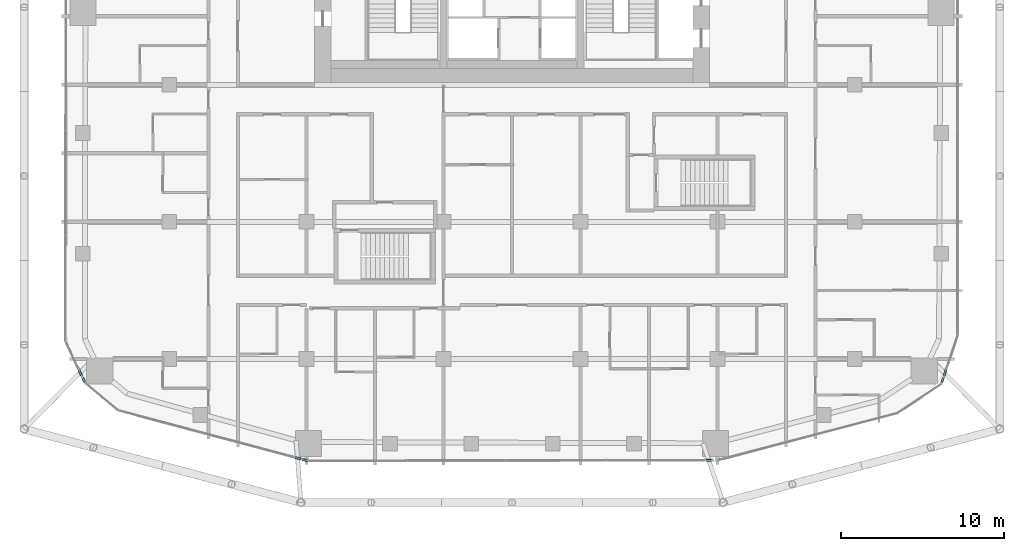
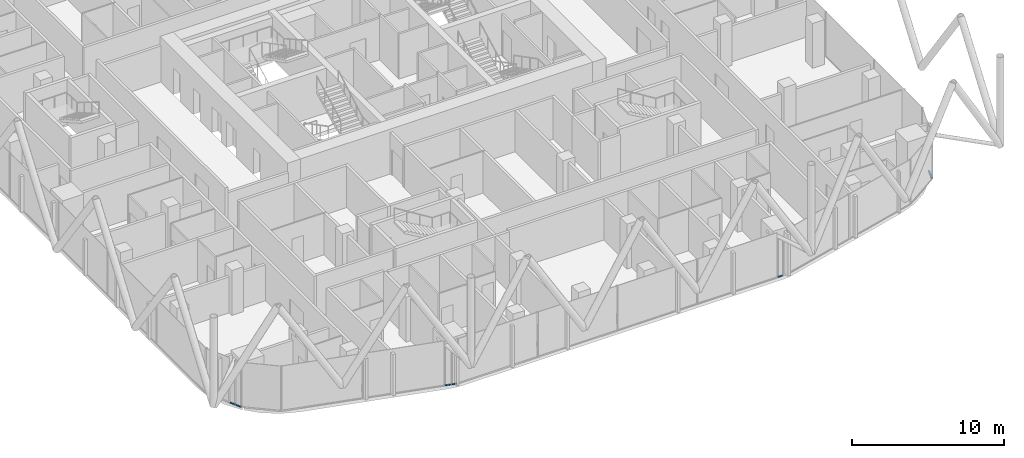
# One storey, part 15 of 33: 7 members, 7 elements without a shape of their own.
"""IFC4 building model written with IfcOpenShell, lengths in metres."""

from ifc_helpers import new_model, si_unit, direction, frame, origin, origin_2d, place, context, subcontext, project, spatial, rectangle, extrude, material, layer, layer_set, material_profile, profile_set, type_object, element, aggregate, save


model = new_model("IFC4")

# Units and contexts
model_context = context("Model", 3, precision=1e-05, world=origin(), true_north=direction((0.0, 1.0)))
body_context = subcontext(model_context, "Body", "Model", "MODEL_VIEW")
ifc_project = project(units=[si_unit("LENGTHUNIT", "METRE"), si_unit("AREAUNIT", "SQUARE_METRE"), si_unit("VOLUMEUNIT", "CUBIC_METRE"), si_unit("PLANEANGLEUNIT", "RADIAN"), si_unit("MASSUNIT", "GRAM", prefix="KILO")], contexts=[model_context])

# Site, building, storey
site_placement = place(None, origin())
site = spatial("IfcSite", under=ifc_project, at=site_placement, CompositionType="ELEMENT")
building_placement = place(site_placement, origin())
building = spatial("IfcBuilding", under=site, at=building_placement, Name="Marenta Gate Hotel Tower", CompositionType="ELEMENT")
storey_placement = place(building_placement, frame((0.0, 0.0, 122.89990234375)))
storey = spatial("IfcBuildingStorey", under=building, at=storey_placement, Name="L27", CompositionType="ELEMENT", Elevation=122.89990234375)

# Curtain wall, member
ifc_material_1 = material(Name="Tinted insulated glass in bronze anodised frame", Category="glass")
ifc_layer = layer(ifc_material_1, 0.1201171875)
ifc_layer_set = layer_set([ifc_layer], Name="Tinted insulated glass in bronze anodised frame")
curtain_wall_type = type_object("IfcCurtainWallType", Name="Tower unitised curtain wall CW1", PredefinedType="NOTDEFINED", material=ifc_layer_set)
curtain_wall_1_placement = place(storey_placement, origin())
curtain_wall_1 = element("IfcCurtainWall", 1, at=curtain_wall_1_placement, inside=storey, type_object=curtain_wall_type, Name="CW1 run G06", PredefinedType="NOTDEFINED")
ifc_material_2 = material(Name="Bronze anodised aluminium", Category="aluminium")
ifc_material_profile = material_profile(ifc_material_2, rectangle(XDim=0.1201171875, YDim=0.06005859375, at=origin_2d()), Name="Transom CW1 60x120 bronze anodised aluminium")
ifc_profile_set = profile_set([ifc_material_profile], Name="Bronze anodised aluminium")
member_type = type_object("IfcMemberType", Name="Transom CW1 60x120 bronze anodised aluminium", PredefinedType="USERDEFINED", material=ifc_profile_set)
member_1_placement = place(storey_placement, frame((-26.544189453125, -17.4677734375, 0.030029296875), z_axis=(0.423960267339, -0.905680789085, 0.0), x_axis=(0.905680789085, 0.423960267339, 0.0)))
member_1 = element("IfcMember", 2, at=member_1_placement, type_object=member_type, Name="CW1 transom 1.1", ObjectType="TRANSOM", PredefinedType="USERDEFINED", context=body_context, shape_type="SweptSolid", body=[
    extrude(rectangle(XDim=0.1201171875, YDim=0.06005859375, at=origin_2d()), origin(), (0.0, 0.0, 1.0), 0.422607421875),
])
aggregate(curtain_wall_1, [member_1])

curtain_wall_2_placement = place(storey_placement, origin())
curtain_wall_2 = element("IfcCurtainWall", 3, at=curtain_wall_2_placement, inside=storey, type_object=curtain_wall_type, Name="CW1 run G07", PredefinedType="NOTDEFINED")
member_2_placement = place(storey_placement, frame((-26.339599609375, -17.905029296875, 0.030029296875), z_axis=(0.42295417161, -0.906151073893, 0.0), x_axis=(0.906151073893, 0.42295417161, 0.0)))
member_2 = element("IfcMember", 4, at=member_2_placement, type_object=member_type, Name="CW1 transom 1.1", ObjectType="TRANSOM", PredefinedType="USERDEFINED", context=body_context, shape_type="SweptSolid", body=[
    extrude(rectangle(XDim=0.1201171875, YDim=0.06005859375, at=origin_2d()), origin(), (0.0, 0.0, 1.0), 0.38916015625),
])
aggregate(curtain_wall_2, [member_2])

curtain_wall_3_placement = place(storey_placement, origin())
curtain_wall_3 = element("IfcCurtainWall", 5, at=curtain_wall_3_placement, inside=storey, type_object=curtain_wall_type, Name="CW1 run G10", PredefinedType="NOTDEFINED")
member_3_placement = place(storey_placement, frame((-13.3193359375, -22.8310546875, 0.030029296875), z_axis=(0.966369996674, -0.257155652336, 0.0), x_axis=(0.257155652336, 0.966369996674, 0.0)))
member_3 = element("IfcMember", 6, at=member_3_placement, type_object=member_type, Name="CW1 transom 1.1", ObjectType="TRANSOM", PredefinedType="USERDEFINED", context=body_context, shape_type="SweptSolid", body=[
    extrude(rectangle(XDim=0.1201171875, YDim=0.06005859375, at=origin_2d()), origin(), (0.0, 0.0, 1.0), 0.419677734375),
])
aggregate(curtain_wall_3, [member_3])

curtain_wall_4_placement = place(storey_placement, origin())
curtain_wall_4 = element("IfcCurtainWall", 7, at=curtain_wall_4_placement, inside=storey, type_object=curtain_wall_type, Name="CW1 run G11", PredefinedType="NOTDEFINED")
member_4_placement = place(storey_placement, frame((-12.855712890625, -22.954345703125, 0.030029296875), z_axis=(0.96625731902, -0.257578713095, 0.0), x_axis=(0.257578713095, 0.96625731902, 0.0)))
member_4 = element("IfcMember", 8, at=member_4_placement, type_object=member_type, Name="CW1 transom 1.1", ObjectType="TRANSOM", PredefinedType="USERDEFINED", context=body_context, shape_type="SweptSolid", body=[
    extrude(rectangle(XDim=0.1201171875, YDim=0.06005859375, at=origin_2d()), origin(), (0.0, 0.0, 1.0), 0.362060546875),
])
aggregate(curtain_wall_4, [member_4])

curtain_wall_5_placement = place(storey_placement, origin())
curtain_wall_5 = element("IfcCurtainWall", 9, at=curtain_wall_5_placement, inside=storey, type_object=curtain_wall_type, Name="CW1 run G13", PredefinedType="NOTDEFINED")
member_5_placement = place(storey_placement, frame((11.881591796875, -23.01416015625, 0.030029296875), z_axis=(0.999999071937, 0.001362396556, 0.0), x_axis=(-0.001362396556, 0.999999071937, 0.0)))
member_5 = element("IfcMember", 10, at=member_5_placement, type_object=member_type, Name="CW1 transom 1.1", ObjectType="TRANSOM", PredefinedType="USERDEFINED", context=body_context, shape_type="SweptSolid", body=[
    extrude(rectangle(XDim=0.1201171875, YDim=0.06005859375, at=origin_2d()), origin(), (0.0, 0.0, 1.0), 0.3583984375),
])
aggregate(curtain_wall_5, [member_5])

curtain_wall_6_placement = place(storey_placement, origin())
curtain_wall_6 = element("IfcCurtainWall", 11, at=curtain_wall_6_placement, inside=storey, type_object=curtain_wall_type, Name="CW1 run G16", PredefinedType="NOTDEFINED")
member_6_placement = place(storey_placement, frame((26.32421875, -18.27783203125, 0.030029296875), z_axis=(0.322187955567, 0.946675721294, 0.0), x_axis=(-0.946675721294, 0.322187955567, 0.0)))
member_6 = element("IfcMember", 12, at=member_6_placement, type_object=member_type, Name="CW1 transom 1.1", ObjectType="TRANSOM", PredefinedType="USERDEFINED", context=body_context, shape_type="SweptSolid", body=[
    extrude(rectangle(XDim=0.1201171875, YDim=0.06005859375, at=origin_2d()), origin(), (0.0, 0.0, 1.0), 0.3681640625),
])
aggregate(curtain_wall_6, [member_6])

curtain_wall_7_placement = place(storey_placement, origin())
curtain_wall_7 = element("IfcCurtainWall", 13, at=curtain_wall_7_placement, inside=storey, type_object=curtain_wall_type, Name="CW1 run G17", PredefinedType="NOTDEFINED")
member_7_placement = place(storey_placement, frame((26.462158203125, -17.872314453125, 0.030029296875), z_axis=(0.321804616278, 0.946806098915, 0.0), x_axis=(-0.946806098915, 0.321804616278, 0.0)))
member_7 = element("IfcMember", 14, at=member_7_placement, type_object=member_type, Name="CW1 transom 1.1", ObjectType="TRANSOM", PredefinedType="USERDEFINED", context=body_context, shape_type="SweptSolid", body=[
    extrude(rectangle(XDim=0.1201171875, YDim=0.06005859375, at=origin_2d()), origin(), (0.0, 0.0, 1.0), 0.446044921875),
])
aggregate(curtain_wall_7, [member_7])

save(model, "model.ifc")
